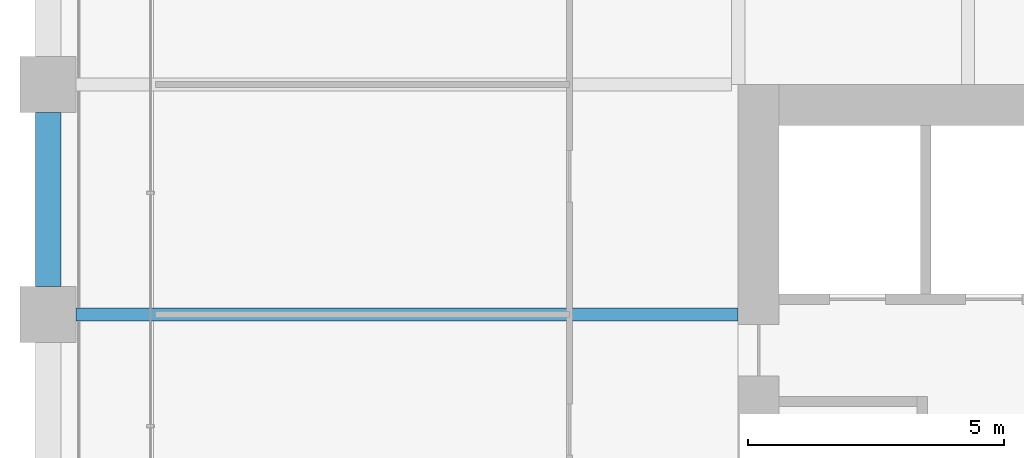
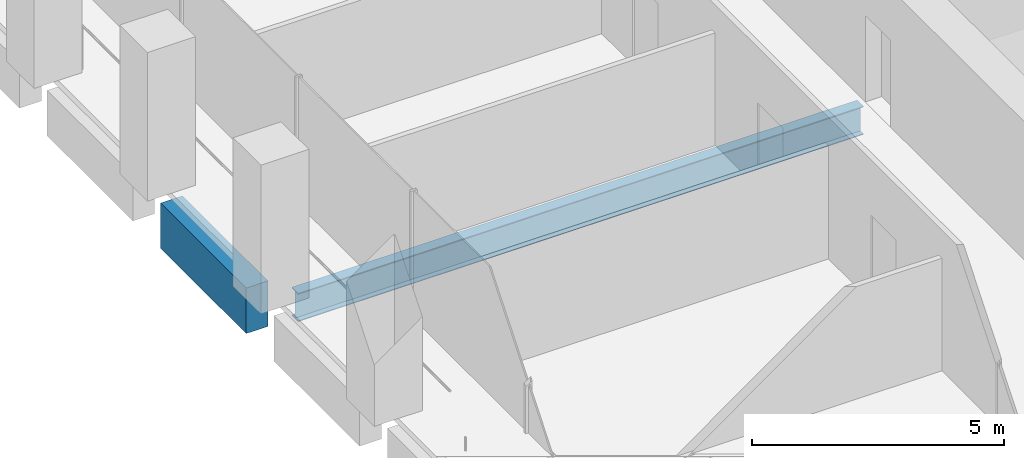
# One storey, part 13 of 56: 2 beams.
"""IFC4 building model written with IfcOpenShell, lengths in metres."""

from ifc_helpers import new_model, si_unit, direction, frame, origin, origin_2d, place, context, subcontext, project, spatial, rectangle, i_section, extrude, material, material_profile, profile_set, type_object, element, save


model = new_model("IFC4")

# Units and contexts
model_context = context("Model", 3, precision=1e-05, world=origin(), true_north=direction((0.0, 1.0)))
body_context = subcontext(model_context, "Body", "Model", "MODEL_VIEW")
ifc_project = project(units=[si_unit("LENGTHUNIT", "METRE"), si_unit("AREAUNIT", "SQUARE_METRE"), si_unit("VOLUMEUNIT", "CUBIC_METRE"), si_unit("PLANEANGLEUNIT", "RADIAN"), si_unit("MASSUNIT", "GRAM", prefix="KILO")], contexts=[model_context])

# Site, building, storey
site_placement = place(None, origin())
site = spatial("IfcSite", under=ifc_project, at=site_placement, CompositionType="ELEMENT")
building_placement = place(site_placement, origin())
building = spatial("IfcBuilding", under=site, at=building_placement, Name="Altepetl Exchange Towers", CompositionType="ELEMENT")
storey_placement = place(building_placement, frame((0.0, 0.0, 69.0)))
storey = spatial("IfcBuildingStorey", under=building, at=storey_placement, Name="L16", CompositionType="ELEMENT", Elevation=69.0)

# Beams
ifc_material_1 = material(Name="Steel S355", Category="steel")
ifc_material_profile_1 = material_profile(ifc_material_1, i_section(OverallWidth=0.25390625, OverallDepth=0.68408203125, WebThickness=0.012451171875, FlangeThickness=0.018798828125, at=origin_2d()), Name="W27X94")
ifc_profile_set_1 = profile_set([ifc_material_profile_1], Name="Steel S355")
beam_type_1 = type_object("IfcBeamType", Name="Floor beam W27X94", PredefinedType="BEAM", material=ifc_profile_set_1)
beam_1_placement = place(storey_placement, frame((27.550048828125, 54.0, -0.491943359375), z_axis=(1.0, 0.0, 0.0), x_axis=(0.0, 1.0, 0.0)))
element("IfcBeam", 1, at=beam_1_placement, inside=storey, type_object=beam_type_1, Name="bm:A:L16:020", PredefinedType="BEAM", context=body_context, shape_type="SweptSolid", body=[
    extrude(i_section(OverallWidth=0.25390625, OverallDepth=0.68408203125, WebThickness=0.012451171875, FlangeThickness=0.018798828125, at=origin_2d()), origin(), (0.0, 0.0, 1.0), 12.949951171875),
])
ifc_material_2 = material(Name="Concrete C50/60 precast with tezontle facing", Category="concrete")
ifc_material_profile_2 = material_profile(ifc_material_2, rectangle(XDim=0.5, YDim=1.10009765625, at=origin_2d()), Name="500 x 1100")
ifc_profile_set_2 = profile_set([ifc_material_profile_2], Name="Concrete C50/60 precast with tezontle facing")
beam_type_2 = type_object("IfcBeamType", Name="Spandrel beam 500x1100 tezontle", PredefinedType="SPANDREL", material=ifc_profile_set_2)
beam_2_placement = place(storey_placement, frame((27.0, 57.949951171875, -0.699951171875), z_axis=(0.0, -1.0, 0.0), x_axis=(1.0, 0.0, 0.0)))
element("IfcBeam", 2, at=beam_2_placement, inside=storey, type_object=beam_type_2, Name="sp:A:L16:038", PredefinedType="SPANDREL", context=body_context, shape_type="SweptSolid", body=[
    extrude(rectangle(XDim=0.5, YDim=1.10009765625, at=origin_2d()), origin(), (0.0, 0.0, 1.0), 3.39990234375),
])

save(model, "model.ifc")
